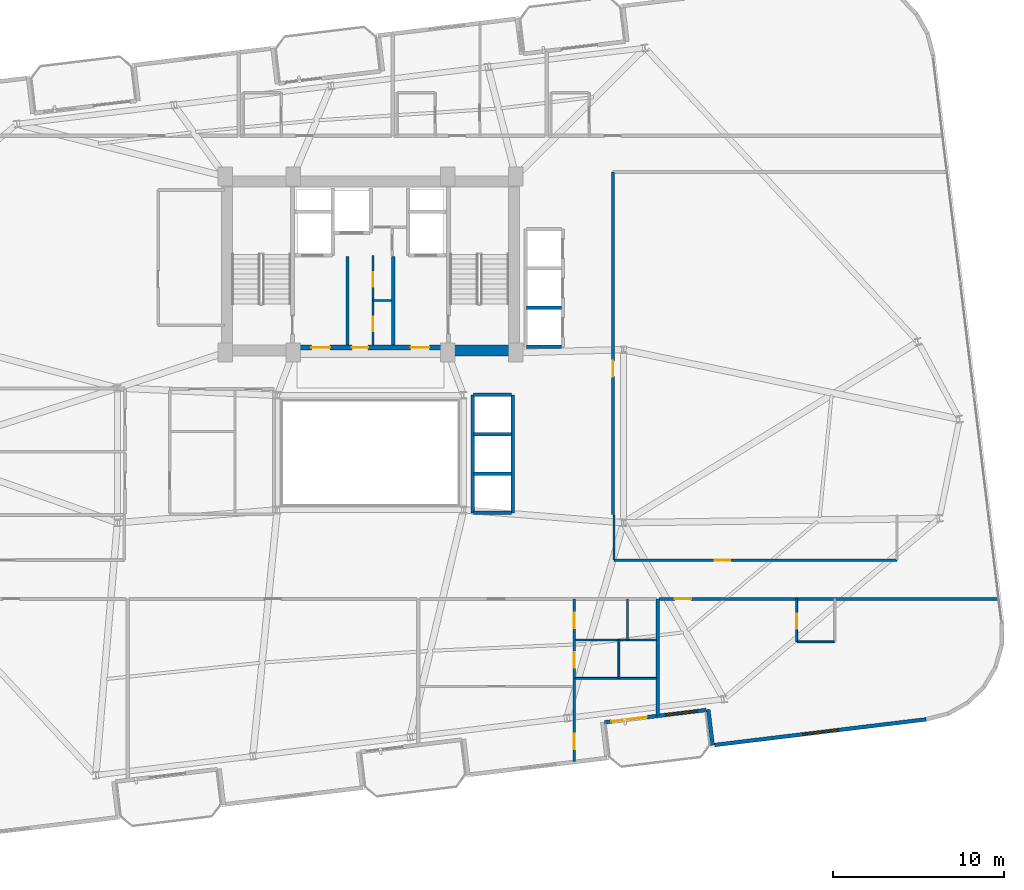
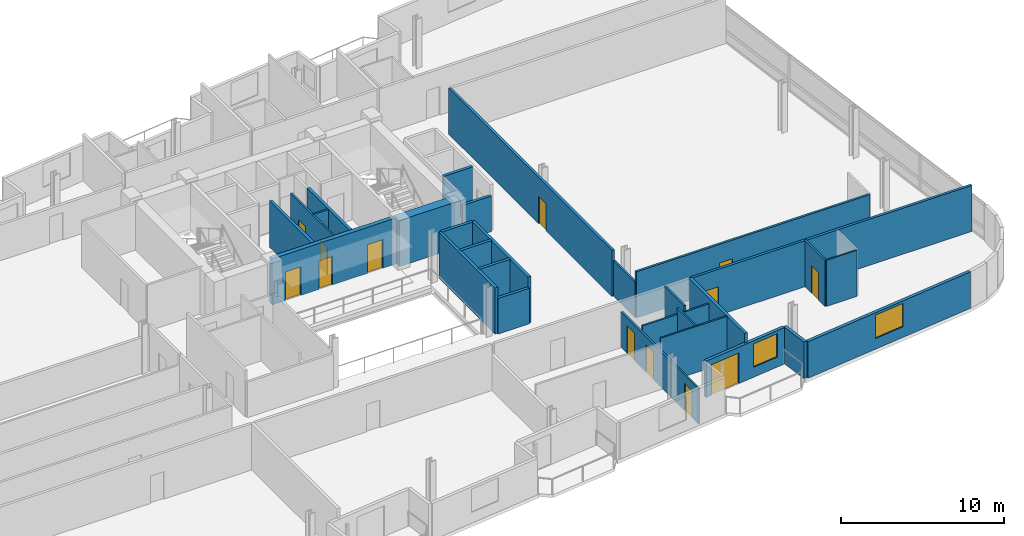
# One storey, part 15 of 22: 29 walls, 13 doors, 2 windows, 15 openings.
"""IFC4 building model written with IfcOpenShell, lengths in metres."""

from ifc_helpers import new_model, si_unit, direction, frame, frame_2d, origin, place, context, subcontext, project, spatial, rectangle, extrude, material, layer, layer_set, type_object, element, fill, save


model = new_model("IFC4")

# Units and contexts
model_context = context("Model", 3, precision=1e-05, world=origin(), true_north=direction((0.0, 1.0)))
body_context = subcontext(model_context, "Body", "Model", "MODEL_VIEW")
ifc_project = project(units=[si_unit("LENGTHUNIT", "METRE"), si_unit("AREAUNIT", "SQUARE_METRE"), si_unit("VOLUMEUNIT", "CUBIC_METRE"), si_unit("PLANEANGLEUNIT", "RADIAN"), si_unit("MASSUNIT", "GRAM", prefix="KILO")], contexts=[model_context])

# Site, building, storey
site_placement = place(None, origin())
site = spatial("IfcSite", under=ifc_project, at=site_placement, CompositionType="ELEMENT")
building_placement = place(site_placement, origin())
building = spatial("IfcBuilding", under=site, at=building_placement, Name="Varnelok Gate Tower", CompositionType="ELEMENT")
storey_placement = place(building_placement, frame((0.0, 0.0, 185.699951171875)))
storey = spatial("IfcBuildingStorey", under=building, at=storey_placement, Name="L47", CompositionType="ELEMENT", Elevation=185.699951171875)

# Wall, openings, door, window
ifc_material_1 = material(Name="Concrete C45/55", Category="concrete")
ifc_layer_1 = layer(ifc_material_1, 0.219970703125)
ifc_layer_set_1 = layer_set([ifc_layer_1], Name="Concrete C45/55")
wall_type_1 = type_object("IfcWallType", Name="EW-BALC-220", PredefinedType="SOLIDWALL", material=ifc_layer_set_1)
wall_1_placement = place(storey_placement, frame((58.843017578125, 7.84716796875, 0.0), z_axis=(0.0, 0.0, 1.0), x_axis=(-0.992729951822, -0.120362962556, 0.0)))
wall_1 = element("IfcWall", 1, at=wall_1_placement, inside=storey, type_object=wall_type_1, Name="L47 South Terrace Envelope Wall 3", PredefinedType="SOLIDWALL", context=body_context, shape_type="SweptSolid", body=[
    extrude(rectangle(XDim=6.0, YDim=0.219970703125, at=frame_2d((3.0, 0.0))), origin(), (0.0, 0.0, 1.0), 2.72998046875),
])
opening_1_placement = place(wall_1_placement, frame((3.5, 0.0, 0.0)))
opening_1 = element("IfcOpeningElement", 2, at=opening_1_placement, cuts=wall_1, Name="Opening BD-2", PredefinedType="OPENING", context=body_context, shape_type="SweptSolid", body=[
    extrude(rectangle(XDim=2.10009765625, YDim=2.300048828125, at=frame_2d((1.050048828125, 1.14990234375))), frame((0.0, 0.119873046875, 0.0), z_axis=(0.0, -1.0, 0.0), x_axis=(1.0, 0.0, 0.0)), (0.0, 0.0, 1.0), 0.239990234375),
])
opening_2_placement = place(wall_1_placement, frame((0.550048828125, 0.0, 0.75)))
opening_2 = element("IfcOpeningElement", 3, at=opening_2_placement, cuts=wall_1, Name="Opening WN5", PredefinedType="OPENING", context=body_context, shape_type="SweptSolid", body=[
    extrude(rectangle(XDim=1.85009765625, YDim=1.75, at=frame_2d((0.925048828125, 0.875))), frame((0.0, 0.119873046875, 0.0), z_axis=(0.0, -1.0, 0.0), x_axis=(1.0, 0.0, 0.0)), (0.0, 0.0, 1.0), 0.239990234375),
])
ifc_material_2 = material(Name="Anodized Aluminum Alloy 6063-T6", Category="aluminium")
door_type_1 = type_object("IfcDoorType", Name="DR-EXT-SLID2100", OperationType="SLIDING_TO_LEFT", PredefinedType="DOOR", material=ifc_material_2)
door_1_placement = place(opening_1_placement, origin())
door_1 = element("IfcDoor", 4, at=door_1_placement, inside=storey, type_object=door_type_1, Name="L47 South Balcony Glazed Door 3", OperationType="SLIDING_TO_LEFT", OverallHeight=2.300048828125, OverallWidth=2.10009765625, PredefinedType="DOOR", context=body_context, shape_type="SweptSolid", body=[
    extrude(rectangle(XDim=2.10009765625, YDim=2.300048828125, at=frame_2d((1.050048828125, 1.14990234375))), frame((0.0, 0.02490234375, 0.0), z_axis=(0.0, -1.0, 0.0), x_axis=(1.0, 0.0, 0.0)), (0.0, 0.0, 1.0), 0.050048828125),
])
fill(opening_1, door_1)
ifc_material_3 = material(Name="Low-E Laminated Double Glazing IGU", Category="glass")
window_type_1 = type_object("IfcWindowType", Name="WN-RES-1850", PartitioningType="SINGLE_PANEL", PredefinedType="WINDOW", material=ifc_material_3)
window_1_placement = place(opening_2_placement, origin())
window_1 = element("IfcWindow", 5, at=window_1_placement, inside=storey, type_object=window_type_1, Name="L47 South Vision Window 3.1", OverallHeight=1.75, OverallWidth=1.85009765625, PartitioningType="SINGLE_PANEL", PredefinedType="WINDOW", context=body_context, shape_type="SweptSolid", body=[
    extrude(rectangle(XDim=1.85009765625, YDim=1.75, at=frame_2d((0.925048828125, 0.875))), frame((0.0, 0.030029296875, 0.0), z_axis=(0.0, -1.0, 0.0), x_axis=(1.0, 0.0, 0.0)), (0.0, 0.0, 1.0), 0.06005859375),
])
fill(opening_2, window_1)

# Wall
wall_2_placement = place(storey_placement, frame((58.961181640625, 7.87158203125, 0.0), z_axis=(0.0, 0.0, 1.0), x_axis=(0.120327895535, -0.992734202874, 0.0)))
element("IfcWall", 6, at=wall_2_placement, inside=storey, type_object=wall_type_1, Name="L47 Perimeter Facade Closure Wall 15", PredefinedType="SOLIDWALL", context=body_context, shape_type="SweptSolid", body=[
    extrude(rectangle(XDim=2.099853515625, YDim=0.219970703125, at=frame_2d((1.0498046875, 0.0))), origin(), (0.0, 0.0, 1.0), 2.72998046875),
])

# Wall, opening, window
wall_3_placement = place(storey_placement, frame((59.337890625, 5.8017578125, 0.0), z_axis=(0.0, 0.0, 1.0), x_axis=(0.992731225757, 0.120352454927, 0.0)))
wall_3 = element("IfcWall", 7, at=wall_3_placement, inside=storey, type_object=wall_type_1, Name="L47 Perimeter Facade Closure Wall 16", PredefinedType="SOLIDWALL", context=body_context, shape_type="SweptSolid", body=[
    extrude(rectangle(XDim=12.447265625, YDim=0.219970703125, at=frame_2d((6.2236328125, 0.0))), origin(), (0.0, 0.0, 1.0), 2.72998046875),
])
opening_3_placement = place(wall_3_placement, frame((5.173583984375, 0.0, 0.800048828125)))
opening_3 = element("IfcOpeningElement", 8, at=opening_3_placement, cuts=wall_3, Name="Opening WN4", PredefinedType="OPENING", context=body_context, shape_type="SweptSolid", body=[
    extrude(rectangle(XDim=2.10009765625, YDim=1.75, at=frame_2d((1.050048828125, 0.875))), frame((0.0, 0.119873046875, 0.0), z_axis=(0.0, -1.0, 0.0), x_axis=(1.0, 0.0, 0.0)), (0.0, 0.0, 1.0), 0.239990234375),
])
window_type_2 = type_object("IfcWindowType", Name="WN-SUI-2100", PartitioningType="SINGLE_PANEL", PredefinedType="WINDOW", material=ifc_material_3)
window_2_placement = place(opening_3_placement, origin())
window_2 = element("IfcWindow", 9, at=window_2_placement, inside=storey, type_object=window_type_2, Name="L47 Perimeter Vision Window 16", OverallHeight=1.75, OverallWidth=2.10009765625, PartitioningType="SINGLE_PANEL", PredefinedType="WINDOW", context=body_context, shape_type="SweptSolid", body=[
    extrude(rectangle(XDim=2.10009765625, YDim=1.75, at=frame_2d((1.050048828125, 0.875))), frame((0.0, 0.030029296875, 0.0), z_axis=(0.0, -1.0, 0.0), x_axis=(1.0, 0.0, 0.0)), (0.0, 0.0, 1.0), 0.06005859375),
])
fill(opening_3, window_2)

# Wall, opening, door
ifc_material_4 = material(Name="Gypsum Plasterboard Acoustic Partition", Category="gypsum")
ifc_layer_2 = layer(ifc_material_4, 0.179931640625)
ifc_layer_set_2 = layer_set([ifc_layer_2], Name="Gypsum Plasterboard Acoustic Partition")
wall_type_2 = type_object("IfcWallType", Name="PW-CORR-180", PredefinedType="PARTITIONING", material=ifc_layer_set_2)
wall_4_placement = place(storey_placement, frame((56.080078125, 14.35009765625, 0.0), z_axis=(0.0, 0.0, 1.0), x_axis=(1.0, 0.0, 0.0)))
wall_4 = element("IfcWall", 10, at=wall_4_placement, inside=storey, type_object=wall_type_2, Name="Interior Partition", PredefinedType="PARTITIONING", context=body_context, shape_type="SweptSolid", body=[
    extrude(rectangle(XDim=19.82470703125, YDim=0.179931640625, at=frame_2d((9.912353515625, 0.0))), origin(), (0.0, 0.0, 1.0), 3.449951171875),
])
opening_4_placement = place(wall_4_placement, frame((0.923095703125, 0.0, 0.0)))
opening_4 = element("IfcOpeningElement", 11, at=opening_4_placement, cuts=wall_4, Name="Opening D-HT", PredefinedType="OPENING", context=body_context, shape_type="SweptSolid", body=[
    extrude(rectangle(XDim=0.949951171875, YDim=2.14990234375, at=frame_2d((0.47509765625, 1.074951171875))), frame((0.0, 0.099853515625, 0.0), z_axis=(0.0, -1.0, 0.0), x_axis=(1.0, 0.0, 0.0)), (0.0, 0.0, 1.0), 0.199951171875),
])
ifc_material_5 = material(Name="Engineered Hardwood Timber", Category="wood")
door_type_2 = type_object("IfcDoorType", Name="DR-HTL-950", OperationType="NOTDEFINED", PredefinedType="DOOR", material=ifc_material_5)
door_2_placement = place(opening_4_placement, origin())
door_2 = element("IfcDoor", 12, at=door_2_placement, inside=storey, type_object=door_type_2, Name="L47 Guest Room 04 Entrance Door", OperationType="SINGLE_SWING_LEFT", OverallHeight=2.14990234375, OverallWidth=0.949951171875, PredefinedType="DOOR", context=body_context, shape_type="SweptSolid", body=[
    extrude(rectangle(XDim=0.949951171875, YDim=2.14990234375, at=frame_2d((0.47509765625, 1.074951171875))), frame((0.0, 0.02490234375, 0.0), z_axis=(0.0, -1.0, 0.0), x_axis=(1.0, 0.0, 0.0)), (0.0, 0.0, 1.0), 0.050048828125),
])
fill(opening_4, door_2)

wall_5_placement = place(storey_placement, frame((53.389892578125, 19.280029296875, 0.0), z_axis=(0.0, 0.0, 1.0), x_axis=(0.0, 1.0, 0.0)))
wall_5 = element("IfcWall", 13, at=wall_5_placement, inside=storey, type_object=wall_type_2, Name="Interior Partition", PredefinedType="PARTITIONING", context=body_context, shape_type="SweptSolid", body=[
    extrude(rectangle(XDim=20.02001953125, YDim=0.179931640625, at=frame_2d((10.010009765625, 0.0))), origin(), (0.0, 0.0, 1.0), 3.449951171875),
])
opening_5_placement = place(wall_5_placement, frame((8.070068359375, 0.0, 0.0)))
opening_5 = element("IfcOpeningElement", 14, at=opening_5_placement, cuts=wall_5, Name="Opening D-I3", PredefinedType="OPENING", context=body_context, shape_type="SweptSolid", body=[
    extrude(rectangle(XDim=0.919921875, YDim=2.050048828125, at=frame_2d((0.4599609375, 1.02490234375))), frame((0.0, 0.099853515625, 0.0), z_axis=(0.0, -1.0, 0.0), x_axis=(1.0, 0.0, 0.0)), (0.0, 0.0, 1.0), 0.199951171875),
])
door_type_3 = type_object("IfcDoorType", Name="DR-INT-920", OperationType="NOTDEFINED", PredefinedType="DOOR", material=ifc_material_5)
door_3_placement = place(opening_5_placement, origin())
door_3 = element("IfcDoor", 15, at=door_3_placement, inside=storey, type_object=door_type_3, Name="L47 East Playroom Door", OperationType="SINGLE_SWING_LEFT", OverallHeight=2.050048828125, OverallWidth=0.919921875, PredefinedType="DOOR", context=body_context, shape_type="SweptSolid", body=[
    extrude(rectangle(XDim=0.919921875, YDim=2.050048828125, at=frame_2d((0.4599609375, 1.02490234375))), frame((0.0, 0.02490234375, 0.0), z_axis=(0.0, -1.0, 0.0), x_axis=(1.0, 0.0, 0.0)), (0.0, 0.0, 1.0), 0.050048828125),
])
fill(opening_5, door_3)

# Walls
ifc_layer_3 = layer(ifc_material_4, 0.114990234375)
ifc_layer_set_3 = layer_set([ifc_layer_3], Name="Gypsum Plasterboard Acoustic Partition")
wall_type_3 = type_object("IfcWallType", Name="PW-ENS-125", PredefinedType="PARTITIONING", material=ifc_layer_set_3)
wall_6_placement = place(storey_placement, frame((51.18994140625, 9.699951171875, 0.0), z_axis=(0.0, 0.0, 1.0), x_axis=(1.0, 0.0, 0.0)))
element("IfcWall", 16, at=wall_6_placement, inside=storey, type_object=wall_type_3, Name="Interior Partition", PredefinedType="PARTITIONING", context=body_context, shape_type="SweptSolid", body=[
    extrude(rectangle(XDim=4.72998046875, YDim=0.114990234375, at=frame_2d((2.364990234375, 0.0))), origin(), (0.0, 0.0, 1.0), 3.449951171875),
])
wall_7_placement = place(storey_placement, frame((53.72998046875, 9.699951171875, 0.0), z_axis=(0.0, 0.0, 1.0), x_axis=(0.0, 1.0, 0.0)))
element("IfcWall", 17, at=wall_7_placement, inside=storey, type_object=wall_type_3, Name="Interior Partition", PredefinedType="PARTITIONING", context=body_context, shape_type="SweptSolid", body=[
    extrude(rectangle(XDim=2.239990234375, YDim=0.114990234375, at=frame_2d((1.1201171875, 0.0))), origin(), (0.0, 0.0, 1.0), 3.449951171875),
])
wall_8_placement = place(storey_placement, frame((64.169921875, 11.830078125, 0.0), z_axis=(0.0, 0.0, 1.0), x_axis=(1.0, 0.0, 0.0)))
element("IfcWall", 18, at=wall_8_placement, inside=storey, type_object=wall_type_3, Name="Interior Partition", PredefinedType="PARTITIONING", context=body_context, shape_type="SweptSolid", body=[
    extrude(rectangle(XDim=2.150146484375, YDim=0.114990234375, at=frame_2d((1.0751953125, 0.0))), origin(), (0.0, 0.0, 1.0), 3.449951171875),
])

# Wall, opening, door
wall_9_placement = place(storey_placement, frame((64.1298828125, 11.830078125, 0.0), z_axis=(0.0, 0.0, 1.0), x_axis=(0.0, 1.0, 0.0)))
wall_9 = element("IfcWall", 19, at=wall_9_placement, inside=storey, type_object=wall_type_3, Name="Interior Partition", PredefinedType="PARTITIONING", context=body_context, shape_type="SweptSolid", body=[
    extrude(rectangle(XDim=2.52001953125, YDim=0.114990234375, at=frame_2d((1.260009765625, 0.0))), origin(), (0.0, 0.0, 1.0), 3.449951171875),
])
opening_6_placement = place(wall_9_placement, frame((0.760009765625, 0.0, 0.0)))
opening_6 = element("IfcOpeningElement", 20, at=opening_6_placement, cuts=wall_9, Name="Opening D-WC", PredefinedType="OPENING", context=body_context, shape_type="SweptSolid", body=[
    extrude(rectangle(XDim=0.89990234375, YDim=2.050048828125, at=frame_2d((0.449951171875, 1.02490234375))), frame((0.0, 0.0673828125, 0.0), z_axis=(0.0, -1.0, 0.0), x_axis=(1.0, 0.0, 0.0)), (0.0, 0.0, 1.0), 0.135009765625),
])
door_type_4 = type_object("IfcDoorType", Name="DR-BATH-900", OperationType="NOTDEFINED", PredefinedType="DOOR", material=ifc_material_5)
door_4_placement = place(opening_6_placement, origin())
door_4 = element("IfcDoor", 21, at=door_4_placement, inside=storey, type_object=door_type_4, Name="L47 Guest En-Suite 04 Door", OperationType="SINGLE_SWING_RIGHT", OverallHeight=2.050048828125, OverallWidth=0.89990234375, PredefinedType="DOOR", context=body_context, shape_type="SweptSolid", body=[
    extrude(rectangle(XDim=0.89990234375, YDim=2.050048828125, at=frame_2d((0.449951171875, 1.02490234375))), frame((0.0, 0.02490234375, 0.0), z_axis=(0.0, -1.0, 0.0), x_axis=(1.0, 0.0, 0.0)), (0.0, 0.0, 1.0), 0.050048828125),
])
fill(opening_6, door_4)

# Wall
ifc_layer_4 = layer(ifc_material_4, 0.125)
ifc_layer_set_4 = layer_set([ifc_layer_4], Name="Gypsum Plasterboard Acoustic Partition")
wall_type_4 = type_object("IfcWallType", Name="PW-PART-125", PredefinedType="PARTITIONING", material=ifc_layer_set_4)
wall_10_placement = place(storey_placement, frame((53.449951171875, 16.610107421875, 0.0), z_axis=(0.0, 0.0, 1.0), x_axis=(0.0, 1.0, 0.0)))
element("IfcWall", 22, at=wall_10_placement, inside=storey, type_object=wall_type_4, Name="Interior Partition", PredefinedType="PARTITIONING", context=body_context, shape_type="SweptSolid", body=[
    extrude(rectangle(XDim=2.6298828125, YDim=0.125, at=frame_2d((1.31494140625, 0.0))), origin(), (0.0, 0.0, 1.0), 2.662109375),
])

# Wall, openings, doors
wall_11_placement = place(storey_placement, frame((51.1201171875, 4.82568359375, 0.0), z_axis=(0.0, 0.0, 1.0), x_axis=(0.0, 1.0, 0.0)))
wall_11 = element("IfcWall", 23, at=wall_11_placement, inside=storey, type_object=wall_type_4, Name="Interior Partition", PredefinedType="PARTITIONING", context=body_context, shape_type="SweptSolid", body=[
    extrude(rectangle(XDim=9.5244140625, YDim=0.125, at=frame_2d((4.76220703125, 0.0))), origin(), (0.0, 0.0, 1.0), 2.662109375),
])
opening_7_placement = place(wall_11_placement, frame((0.724853515625, 0.0, 0.0)))
opening_7 = element("IfcOpeningElement", 24, at=opening_7_placement, cuts=wall_11, Name="Opening D-I3", PredefinedType="OPENING", context=body_context, shape_type="SweptSolid", body=[
    extrude(rectangle(XDim=0.919921875, YDim=2.050048828125, at=frame_2d((0.4599609375, 1.02490234375))), frame((0.0, 0.072509765625, 0.0), z_axis=(0.0, -1.0, 0.0), x_axis=(1.0, 0.0, 0.0)), (0.0, 0.0, 1.0), 0.14501953125),
])
opening_8_placement = place(wall_11_placement, frame((5.501708984375, 0.0, 0.0)))
opening_8 = element("IfcOpeningElement", 25, at=opening_8_placement, cuts=wall_11, Name="Opening D-WC", PredefinedType="OPENING", context=body_context, shape_type="SweptSolid", body=[
    extrude(rectangle(XDim=0.89990234375, YDim=2.050048828125, at=frame_2d((0.449951171875, 1.02490234375))), frame((0.0, 0.072509765625, 0.0), z_axis=(0.0, -1.0, 0.0), x_axis=(1.0, 0.0, 0.0)), (0.0, 0.0, 1.0), 0.14501953125),
])
opening_9_placement = place(wall_11_placement, frame((7.794189453125, 0.0, 0.0)))
opening_9 = element("IfcOpeningElement", 26, at=opening_9_placement, cuts=wall_11, Name="Opening D-I3", PredefinedType="OPENING", context=body_context, shape_type="SweptSolid", body=[
    extrude(rectangle(XDim=0.919921875, YDim=2.050048828125, at=frame_2d((0.4599609375, 1.02490234375))), frame((0.0, 0.072509765625, 0.0), z_axis=(0.0, -1.0, 0.0), x_axis=(1.0, 0.0, 0.0)), (0.0, 0.0, 1.0), 0.14501953125),
])
door_5_placement = place(opening_8_placement, origin())
door_5 = element("IfcDoor", 27, at=door_5_placement, inside=storey, type_object=door_type_4, Name="L47 Apartment 3 Bathroom Door", OperationType="SINGLE_SWING_LEFT", OverallHeight=2.050048828125, OverallWidth=0.89990234375, PredefinedType="DOOR", context=body_context, shape_type="SweptSolid", body=[
    extrude(rectangle(XDim=0.89990234375, YDim=2.050048828125, at=frame_2d((0.449951171875, 1.02490234375))), frame((0.0, 0.02490234375, 0.0), z_axis=(0.0, -1.0, 0.0), x_axis=(1.0, 0.0, 0.0)), (0.0, 0.0, 1.0), 0.050048828125),
])
fill(opening_8, door_5)
door_6_placement = place(opening_7_placement, origin())
door_6 = element("IfcDoor", 28, at=door_6_placement, inside=storey, type_object=door_type_3, Name="L47 Apartment 3 Bedroom Door", OperationType="SINGLE_SWING_RIGHT", OverallHeight=2.050048828125, OverallWidth=0.919921875, PredefinedType="DOOR", context=body_context, shape_type="SweptSolid", body=[
    extrude(rectangle(XDim=0.919921875, YDim=2.050048828125, at=frame_2d((0.4599609375, 1.02490234375))), frame((0.0, 0.02490234375, 0.0), z_axis=(0.0, -1.0, 0.0), x_axis=(1.0, 0.0, 0.0)), (0.0, 0.0, 1.0), 0.050048828125),
])
fill(opening_7, door_6)
door_7_placement = place(opening_9_placement, origin())
door_7 = element("IfcDoor", 29, at=door_7_placement, inside=storey, type_object=door_type_3, Name="L47 Apartment 3 Kitchen Door", OperationType="SINGLE_SWING_RIGHT", OverallHeight=2.050048828125, OverallWidth=0.919921875, PredefinedType="DOOR", context=body_context, shape_type="SweptSolid", body=[
    extrude(rectangle(XDim=0.919921875, YDim=2.050048828125, at=frame_2d((0.4599609375, 1.02490234375))), frame((0.0, 0.02490234375, 0.0), z_axis=(0.0, -1.0, 0.0), x_axis=(1.0, 0.0, 0.0)), (0.0, 0.0, 1.0), 0.050048828125),
])
fill(opening_9, door_7)

# Walls
wall_12_placement = place(storey_placement, frame((51.18994140625, 11.93994140625, 0.0), z_axis=(0.0, 0.0, 1.0), x_axis=(1.0, 0.0, 0.0)))
element("IfcWall", 30, at=wall_12_placement, inside=storey, type_object=wall_type_4, Name="Interior Partition", PredefinedType="PARTITIONING", context=body_context, shape_type="SweptSolid", body=[
    extrude(rectangle(XDim=4.72998046875, YDim=0.125, at=frame_2d((2.364990234375, 0.0))), origin(), (0.0, 0.0, 1.0), 3.01806640625),
])
wall_13_placement = place(storey_placement, frame((54.22998046875, 11.93994140625, 0.0), z_axis=(0.0, 0.0, 1.0), x_axis=(0.0, 1.0, 0.0)))
element("IfcWall", 31, at=wall_13_placement, inside=storey, type_object=wall_type_4, Name="Interior Partition", PredefinedType="PARTITIONING", context=body_context, shape_type="SweptSolid", body=[
    extrude(rectangle(XDim=2.41015625, YDim=0.125, at=frame_2d((1.205078125, 0.0))), origin(), (0.0, 0.0, 1.0), 3.449951171875),
])
wall_14_placement = place(storey_placement, frame((39.35009765625, 31.800048828125, 0.0), z_axis=(0.0, 0.0, 1.0), x_axis=(1.0, 0.0, 0.0)))
element("IfcWall", 32, at=wall_14_placement, inside=storey, type_object=wall_type_4, Name="Interior Partition", PredefinedType="PARTITIONING", context=body_context, shape_type="SweptSolid", body=[
    extrude(rectangle(XDim=1.08984375, YDim=0.125, at=frame_2d((0.544921875, 0.0))), origin(), (0.0, 0.0, 1.0), 3.449951171875),
])

# Wall, openings, doors
wall_15_placement = place(storey_placement, frame((39.35009765625, 29.199951171875, 0.0), z_axis=(0.0, 0.0, 1.0), x_axis=(0.0, 1.0, 0.0)))
wall_15 = element("IfcWall", 33, at=wall_15_placement, inside=storey, type_object=wall_type_4, Name="Interior Partition", PredefinedType="PARTITIONING", context=body_context, shape_type="SweptSolid", body=[
    extrude(rectangle(XDim=5.219970703125, YDim=0.125, at=frame_2d((2.60986328125, 0.0))), origin(), (0.0, 0.0, 1.0), 3.449951171875),
])
opening_10_placement = place(wall_15_placement, frame((0.800048828125, 0.0, 0.0)))
opening_10 = element("IfcOpeningElement", 34, at=opening_10_placement, cuts=wall_15, Name="Opening D-RS", PredefinedType="OPENING", context=body_context, shape_type="SweptSolid", body=[
    extrude(rectangle(XDim=0.85009765625, YDim=2.050048828125, at=frame_2d((0.425048828125, 1.02490234375))), frame((0.0, 0.072509765625, 0.0), z_axis=(0.0, -1.0, 0.0), x_axis=(1.0, 0.0, 0.0)), (0.0, 0.0, 1.0), 0.14501953125),
])
opening_11_placement = place(wall_15_placement, frame((3.39990234375, 0.0, 0.0)))
opening_11 = element("IfcOpeningElement", 35, at=opening_11_placement, cuts=wall_15, Name="Opening D-RS", PredefinedType="OPENING", context=body_context, shape_type="SweptSolid", body=[
    extrude(rectangle(XDim=0.85009765625, YDim=2.050048828125, at=frame_2d((0.425048828125, 1.02490234375))), frame((0.0, 0.072509765625, 0.0), z_axis=(0.0, -1.0, 0.0), x_axis=(1.0, 0.0, 0.0)), (0.0, 0.0, 1.0), 0.14501953125),
])
ifc_material_6 = material(Name="Galvanized Steel Grade S350GD", Category="steel")
door_type_5 = type_object("IfcDoorType", Name="DR-RISER-850", OperationType="NOTDEFINED", PredefinedType="DOOR", material=ifc_material_6)
door_8_placement = place(opening_10_placement, origin())
door_8 = element("IfcDoor", 36, at=door_8_placement, inside=storey, type_object=door_type_5, Name="L47 Housekeeping Linen Door", OperationType="SINGLE_SWING_RIGHT", OverallHeight=2.050048828125, OverallWidth=0.85009765625, PredefinedType="DOOR", context=body_context, shape_type="SweptSolid", body=[
    extrude(rectangle(XDim=0.85009765625, YDim=2.050048828125, at=frame_2d((0.425048828125, 1.02490234375))), frame((0.0, 0.02490234375, 0.0), z_axis=(0.0, -1.0, 0.0), x_axis=(1.0, 0.0, 0.0)), (0.0, 0.0, 1.0), 0.050048828125),
])
fill(opening_10, door_8)
door_9_placement = place(opening_11_placement, origin())
door_9 = element("IfcDoor", 37, at=door_9_placement, inside=storey, type_object=door_type_5, Name="L47 Core Supply Door", OperationType="SINGLE_SWING_LEFT", OverallHeight=2.050048828125, OverallWidth=0.85009765625, PredefinedType="DOOR", context=body_context, shape_type="SweptSolid", body=[
    extrude(rectangle(XDim=0.85009765625, YDim=2.050048828125, at=frame_2d((0.425048828125, 1.02490234375))), frame((0.0, 0.02490234375, 0.0), z_axis=(0.0, -1.0, 0.0), x_axis=(1.0, 0.0, 0.0)), (0.0, 0.0, 1.0), 0.050048828125),
])
fill(opening_11, door_9)

# Wall, opening, door
ifc_layer_5 = layer(ifc_material_4, 0.14990234375)
ifc_layer_set_5 = layer_set([ifc_layer_5], Name="Gypsum Plasterboard Acoustic Partition")
wall_type_5 = type_object("IfcWallType", Name="PW-PART-150", PredefinedType="PARTITIONING", material=ifc_layer_set_5)
wall_16_placement = place(storey_placement, frame((53.449951171875, 16.610107421875, 0.0), z_axis=(0.0, 0.0, 1.0), x_axis=(1.0, 0.0, 0.0)))
wall_16 = element("IfcWall", 38, at=wall_16_placement, inside=storey, type_object=wall_type_5, Name="Interior Partition", PredefinedType="PARTITIONING", context=body_context, shape_type="SweptSolid", body=[
    extrude(rectangle(XDim=16.550048828125, YDim=0.14990234375, at=frame_2d((8.27490234375, 0.0))), origin(), (0.0, 0.0, 1.0), 3.449951171875),
])
opening_12_placement = place(wall_16_placement, frame((5.87255859375, 0.0, 0.0)))
opening_12 = element("IfcOpeningElement", 39, at=opening_12_placement, cuts=wall_16, Name="Opening D-I3", PredefinedType="OPENING", context=body_context, shape_type="SweptSolid", body=[
    extrude(rectangle(XDim=0.919921875, YDim=2.050048828125, at=frame_2d((0.4599609375, 1.02490234375))), frame((0.0, 0.0849609375, 0.0), z_axis=(0.0, -1.0, 0.0), x_axis=(1.0, 0.0, 0.0)), (0.0, 0.0, 1.0), 0.169921875),
])
door_10_placement = place(opening_12_placement, origin())
door_10 = element("IfcDoor", 40, at=door_10_placement, inside=storey, type_object=door_type_3, Name="L47 Atrium Room 2 Door", OperationType="SINGLE_SWING_LEFT", OverallHeight=2.050048828125, OverallWidth=0.919921875, PredefinedType="DOOR", context=body_context, shape_type="SweptSolid", body=[
    extrude(rectangle(XDim=0.919921875, YDim=2.050048828125, at=frame_2d((0.4599609375, 1.02490234375))), frame((0.0, 0.02490234375, 0.0), z_axis=(0.0, -1.0, 0.0), x_axis=(1.0, 0.0, 0.0)), (0.0, 0.0, 1.0), 0.050048828125),
])
fill(opening_12, door_10)

# Walls
ifc_layer_6 = layer(ifc_material_4, 0.205078125)
ifc_layer_set_6 = layer_set([ifc_layer_6], Name="Gypsum Plasterboard Acoustic Partition")
wall_type_6 = type_object("IfcWallType", Name="PW-PARTY-200", PredefinedType="PARTITIONING", material=ifc_layer_set_6)
wall_17_placement = place(storey_placement, frame((56.0, 7.53271484375, 0.0), z_axis=(0.0, 0.0, 1.0), x_axis=(0.0, 1.0, 0.0)))
element("IfcWall", 41, at=wall_17_placement, inside=storey, type_object=wall_type_6, Name="L47 South Party Wall 3", PredefinedType="PARTITIONING", context=body_context, shape_type="SweptSolid", body=[
    extrude(rectangle(XDim=6.8173828125, YDim=0.205078125, at=frame_2d((3.40869140625, 0.0))), origin(), (0.0, 0.0, 1.0), 3.449951171875),
])
ifc_material_7 = material(Name="Concrete C35/45", Category="concrete")
ifc_layer_7 = layer(ifc_material_7, 0.199951171875)
ifc_layer_set_7 = layer_set([ifc_layer_7], Name="Concrete C35/45")
wall_type_7 = type_object("IfcWallType", Name="PW-SHAFT-200", PredefinedType="PARTITIONING", material=ifc_layer_set_7)
for number, where, z_axis, x_axis, name in (
    (42, (37.860107421875, 29.199951171875, 0.0), (0.0, 0.0, 1.0), (0.0, 1.0, 0.0), "L47 West FF Lobby Rated Wall"),
    (43, (40.5400390625, 29.199951171875, 0.0), (0.0, 0.0, 1.0), (0.0, 1.0, 0.0), "L47 East FF Lobby Rated Wall"),
):
    element("IfcWall", number, at=place(storey_placement, frame(where, z_axis=z_axis, x_axis=x_axis)), inside=storey, type_object=wall_type_7, Name=name, PredefinedType="PARTITIONING", context=body_context, shape_type="SweptSolid", body=[
        extrude(rectangle(XDim=5.179931640625, YDim=0.199951171875, at=frame_2d((2.58984375, 0.0))), origin(), (0.0, 0.0, 1.0), 3.449951171875),
    ])
wall_18_placement = place(storey_placement, frame((48.320068359375, 31.375, 0.0), z_axis=(0.0, 0.0, 1.0), x_axis=(1.0, 0.0, 0.0)))
element("IfcWall", 44, at=wall_18_placement, inside=storey, type_object=wall_type_7, Name="L47 PM1 Divider", PredefinedType="PARTITIONING", context=body_context, shape_type="SweptSolid", body=[
    extrude(rectangle(XDim=2.059814453125, YDim=0.199951171875, at=frame_2d((1.02978515625, 0.0))), origin(), (0.0, 0.0, 1.0), 3.449951171875),
])
wall_19_placement = place(storey_placement, frame((48.320068359375, 29.080078125, 0.0), z_axis=(0.0, 0.0, 1.0), x_axis=(1.0, 0.0, 0.0)))
element("IfcWall", 45, at=wall_19_placement, inside=storey, type_object=wall_type_7, Name="L47 PM Bank South Wall", PredefinedType="PARTITIONING", context=body_context, shape_type="SweptSolid", body=[
    extrude(rectangle(XDim=2.059814453125, YDim=0.199951171875, at=frame_2d((1.02978515625, 0.0))), origin(), (0.0, 0.0, 1.0), 2.662109375),
])
for number, where, z_axis, x_axis, name in (
    (46, (45.239990234375, 21.675048828125, 0.0), (0.0, 0.0, 1.0), (1.0, 0.0, 0.0), "L47 PH1 Divider"),
    (47, (45.239990234375, 23.97509765625, 0.0), (0.0, 0.0, 1.0), (1.0, 0.0, 0.0), "L47 PH2 Divider"),
):
    element("IfcWall", number, at=place(storey_placement, frame(where, z_axis=z_axis, x_axis=x_axis)), inside=storey, type_object=wall_type_7, Name=name, PredefinedType="PARTITIONING", context=body_context, shape_type="SweptSolid", body=[
        extrude(rectangle(XDim=2.219970703125, YDim=0.199951171875, at=frame_2d((1.10986328125, 0.0))), origin(), (0.0, 0.0, 1.0), 3.449951171875),
    ])
wall_20_placement = place(storey_placement, frame((45.239990234375, 19.3798828125, 0.0), z_axis=(0.0, 0.0, 1.0), x_axis=(1.0, 0.0, 0.0)))
element("IfcWall", 48, at=wall_20_placement, inside=storey, type_object=wall_type_7, Name="L47 PH Bank South Wall", PredefinedType="PARTITIONING", context=body_context, shape_type="SweptSolid", body=[
    extrude(rectangle(XDim=2.219970703125, YDim=0.199951171875, at=frame_2d((1.10986328125, 0.0))), origin(), (0.0, 0.0, 1.0), 2.662109375),
])
wall_21_placement = place(storey_placement, frame((45.239990234375, 26.280029296875, 0.0), z_axis=(0.0, 0.0, 1.0), x_axis=(1.0, 0.0, 0.0)))
element("IfcWall", 49, at=wall_21_placement, inside=storey, type_object=wall_type_7, Name="L47 PH Bank North Wall", PredefinedType="PARTITIONING", context=body_context, shape_type="SweptSolid", body=[
    extrude(rectangle(XDim=2.219970703125, YDim=0.199951171875, at=frame_2d((1.10986328125, 0.0))), origin(), (0.0, 0.0, 1.0), 3.449951171875),
])
for number, where, z_axis, x_axis, name in (
    (50, (45.179931640625, 19.3798828125, 0.0), (0.0, 0.0, 1.0), (0.0, 1.0, 0.0), "L47 PH Bank Atrium Wall"),
    (51, (47.52001953125, 19.3798828125, 0.0), (0.0, 0.0, 1.0), (0.0, 1.0, 0.0), "L47 PH Bank Front Wall"),
):
    element("IfcWall", number, at=place(storey_placement, frame(where, z_axis=z_axis, x_axis=x_axis)), inside=storey, type_object=wall_type_7, Name=name, PredefinedType="PARTITIONING", context=body_context, shape_type="SweptSolid", body=[
        extrude(rectangle(XDim=6.900146484375, YDim=0.199951171875, at=frame_2d((3.4501953125, 0.0))), origin(), (0.0, 0.0, 1.0), 3.449951171875),
    ])
ifc_material_8 = material(Name="Concrete C60/75", Category="concrete")
ifc_layer_8 = layer(ifc_material_8, 0.64990234375)
ifc_layer_set_8 = layer_set([ifc_layer_8], Name="Concrete C60/75")
wall_type_8 = type_object("IfcWallType", Name="SW-CORE-650", PredefinedType="SHEAR", material=ifc_layer_set_8)
wall_22_placement = place(storey_placement, frame((43.60009765625, 28.875, 0.0), z_axis=(0.0, 0.0, 1.0), x_axis=(1.0, 0.0, 0.0)))
element("IfcWall", 52, at=wall_22_placement, inside=storey, type_object=wall_type_8, Name="L47 Rear Core South-East Shear Wall", PredefinedType="SHEAR", context=body_context, shape_type="SweptSolid", body=[
    extrude(rectangle(XDim=4.31982421875, YDim=0.64990234375, at=frame_2d((2.159912109375, 0.0))), origin(), (0.0, 0.0, 1.0), 3.449951171875),
])

# Wall, openings, doors
ifc_layer_9 = layer(ifc_material_8, 0.300048828125)
ifc_layer_set_9 = layer_set([ifc_layer_9], Name="Concrete C60/75")
wall_type_9 = type_object("IfcWallType", Name="SW-SHAFT-300", PredefinedType="SHEAR", material=ifc_layer_set_9)
wall_23_placement = place(storey_placement, frame((34.800048828125, 29.050048828125, 0.0), z_axis=(0.0, 0.0, 1.0), x_axis=(1.0, 0.0, 0.0)))
wall_23 = element("IfcWall", 53, at=wall_23_placement, inside=storey, type_object=wall_type_9, Name="L47 Rear Core Central Lobby Shear Wall", PredefinedType="SHEAR", context=body_context, shape_type="SweptSolid", body=[
    extrude(rectangle(XDim=8.800048828125, YDim=0.300048828125, at=frame_2d((4.39990234375, 0.0))), origin(), (0.0, 0.0, 1.0), 3.449951171875),
])
opening_13_placement = place(wall_23_placement, frame((0.949951171875, 0.0, 0.0)))
opening_13 = element("IfcOpeningElement", 54, at=opening_13_placement, cuts=wall_23, Name="Opening D-FF", PredefinedType="OPENING", context=body_context, shape_type="SweptSolid", body=[
    extrude(rectangle(XDim=1.10009765625, YDim=2.14990234375, at=frame_2d((0.550048828125, 1.074951171875))), frame((0.0, 0.159912109375, 0.0), z_axis=(0.0, -1.0, 0.0), x_axis=(1.0, 0.0, 0.0)), (0.0, 0.0, 1.0), 0.320068359375),
])
opening_14_placement = place(wall_23_placement, frame((6.75, 0.0, 0.0)))
opening_14 = element("IfcOpeningElement", 55, at=opening_14_placement, cuts=wall_23, Name="Opening D-FF", PredefinedType="OPENING", context=body_context, shape_type="SweptSolid", body=[
    extrude(rectangle(XDim=1.10009765625, YDim=2.14990234375, at=frame_2d((0.550048828125, 1.074951171875))), frame((0.0, 0.159912109375, 0.0), z_axis=(0.0, -1.0, 0.0), x_axis=(1.0, 0.0, 0.0)), (0.0, 0.0, 1.0), 0.320068359375),
])
opening_15_placement = place(wall_23_placement, frame((3.320068359375, 0.0, 0.0)))
opening_15 = element("IfcOpeningElement", 56, at=opening_15_placement, cuts=wall_23, Name="Opening D-CR", PredefinedType="OPENING", context=body_context, shape_type="SweptSolid", body=[
    extrude(rectangle(XDim=0.949951171875, YDim=2.14990234375, at=frame_2d((0.47509765625, 1.074951171875))), frame((0.0, 0.159912109375, 0.0), z_axis=(0.0, -1.0, 0.0), x_axis=(1.0, 0.0, 0.0)), (0.0, 0.0, 1.0), 0.320068359375),
])
door_type_6 = type_object("IfcDoorType", Name="DR-CORR-950", OperationType="NOTDEFINED", PredefinedType="DOOR", material=ifc_material_6)
door_11_placement = place(opening_15_placement, origin())
door_11 = element("IfcDoor", 57, at=door_11_placement, inside=storey, type_object=door_type_6, Name="L47 Core Service Passage Door", OperationType="SINGLE_SWING_LEFT", OverallHeight=2.14990234375, OverallWidth=0.949951171875, PredefinedType="DOOR", context=body_context, shape_type="SweptSolid", body=[
    extrude(rectangle(XDim=0.949951171875, YDim=2.14990234375, at=frame_2d((0.47509765625, 1.074951171875))), frame((0.0, 0.02490234375, 0.0), z_axis=(0.0, -1.0, 0.0), x_axis=(1.0, 0.0, 0.0)), (0.0, 0.0, 1.0), 0.050048828125),
])
fill(opening_15, door_11)
door_type_7 = type_object("IfcDoorType", Name="DR-FFLOB-1100", OperationType="NOTDEFINED", PredefinedType="DOOR", material=ifc_material_6)
door_12_placement = place(opening_13_placement, origin())
door_12 = element("IfcDoor", 58, at=door_12_placement, inside=storey, type_object=door_type_7, Name="L47 West Firefighting Lobby Fire Door", OperationType="SINGLE_SWING_RIGHT", OverallHeight=2.14990234375, OverallWidth=1.10009765625, PredefinedType="DOOR", context=body_context, shape_type="SweptSolid", body=[
    extrude(rectangle(XDim=1.10009765625, YDim=2.14990234375, at=frame_2d((0.550048828125, 1.074951171875))), frame((0.0, 0.02490234375, 0.0), z_axis=(0.0, -1.0, 0.0), x_axis=(1.0, 0.0, 0.0)), (0.0, 0.0, 1.0), 0.050048828125),
])
fill(opening_13, door_12)
door_13_placement = place(opening_14_placement, origin())
door_13 = element("IfcDoor", 59, at=door_13_placement, inside=storey, type_object=door_type_7, Name="L47 East Firefighting Lobby Fire Door", OperationType="SINGLE_SWING_LEFT", OverallHeight=2.14990234375, OverallWidth=1.10009765625, PredefinedType="DOOR", context=body_context, shape_type="SweptSolid", body=[
    extrude(rectangle(XDim=1.10009765625, YDim=2.14990234375, at=frame_2d((0.550048828125, 1.074951171875))), frame((0.0, 0.02490234375, 0.0), z_axis=(0.0, -1.0, 0.0), x_axis=(1.0, 0.0, 0.0)), (0.0, 0.0, 1.0), 0.050048828125),
])
fill(opening_14, door_13)

save(model, "model.ifc")
